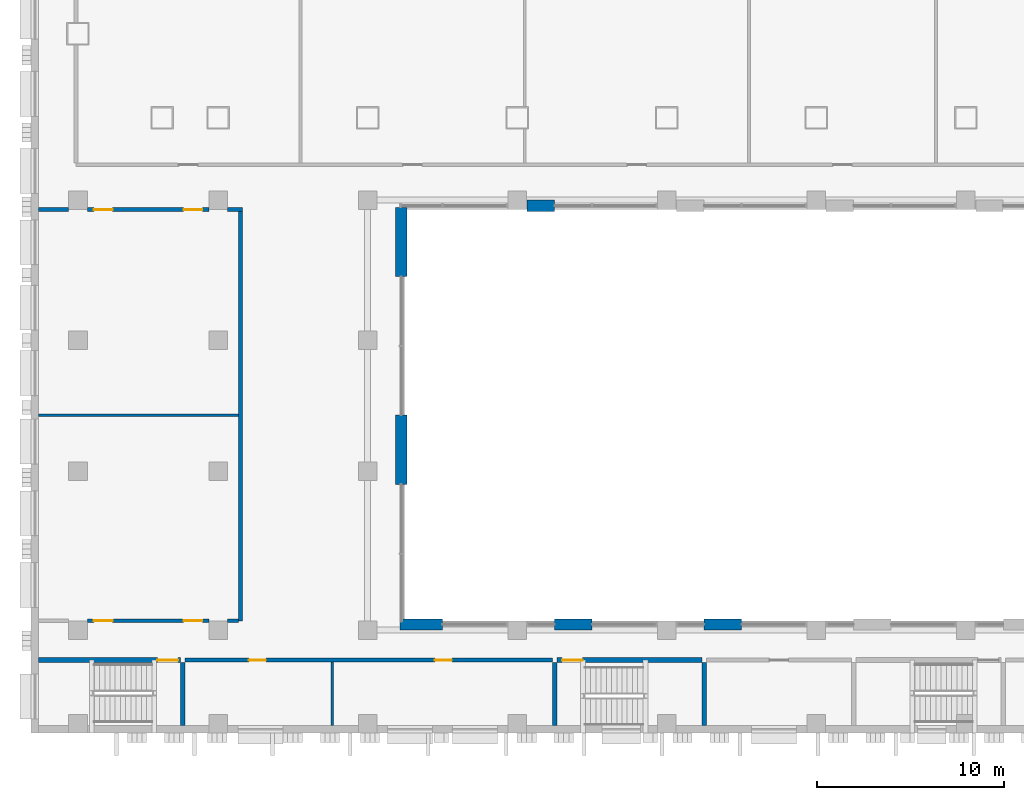
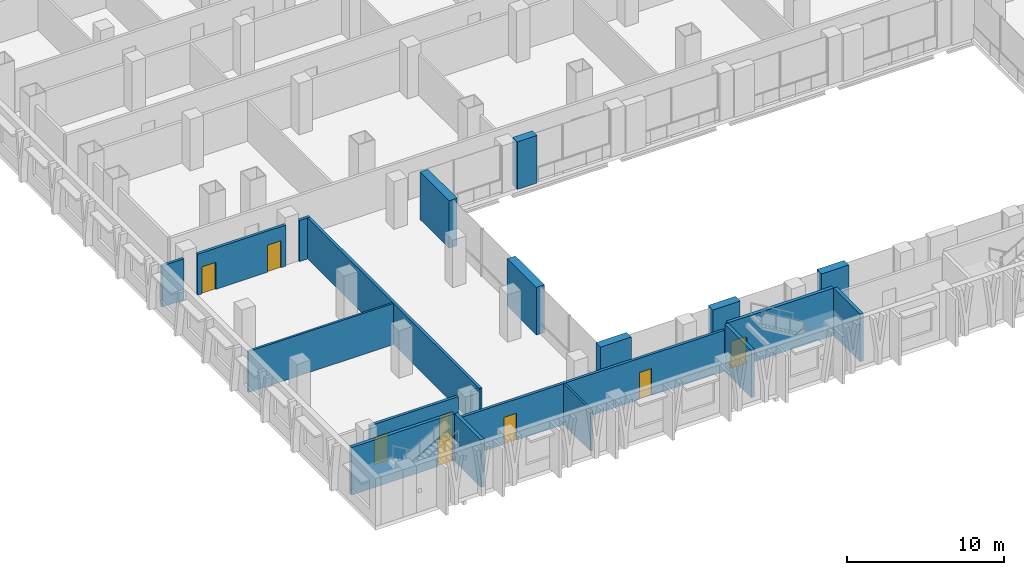
# One storey, part 7 of 24: 20 walls, 8 doors, 8 openings.
"""IFC4 building model written with IfcOpenShell, lengths in metres."""

from ifc_helpers import new_model, si_unit, direction, frame, frame_2d, origin, place, context, subcontext, project, spatial, rectangle, extrude, material, layer, layer_set, type_object, element, fill, save


model = new_model("IFC4")

# Units and contexts
model_context = context("Model", 3, precision=1e-05, world=origin(), true_north=direction((0.0, 1.0)))
body_context = subcontext(model_context, "Body", "Model", "MODEL_VIEW")
ifc_project = project(units=[si_unit("LENGTHUNIT", "METRE"), si_unit("AREAUNIT", "SQUARE_METRE"), si_unit("VOLUMEUNIT", "CUBIC_METRE"), si_unit("PLANEANGLEUNIT", "RADIAN"), si_unit("MASSUNIT", "GRAM", prefix="KILO")], contexts=[model_context])

# Site, building, storey
site_placement = place(None, origin())
site = spatial("IfcSite", under=ifc_project, at=site_placement, CompositionType="ELEMENT")
building_placement = place(site_placement, origin())
building = spatial("IfcBuilding", under=site, at=building_placement, Name="Vidyagriha Tower", CompositionType="ELEMENT")
storey_placement = place(building_placement, frame((0.0, 0.0, 22.0)))
storey = spatial("IfcBuildingStorey", under=building, at=storey_placement, Name="L05", CompositionType="ELEMENT", Elevation=22.0)

# Walls
ifc_material_1 = material(Name="Precast concrete C40/50 with brick facing", Category="concrete")
ifc_layer_1 = layer(ifc_material_1, 0.60009765625)
ifc_layer_set_1 = layer_set([ifc_layer_1], Name="Precast concrete C40/50 with brick facing")
wall_type_1 = type_object("IfcWallType", Name="Brick-faced precast wall 600", PredefinedType="STANDARD", material=ifc_layer_set_1)
for number, where, z_axis, x_axis, name in (
    (1, (-2.0, -44.199951171875, 0.0), (0.0, 0.0, 1.0), (-1.0, 0.0, 0.0), "Brick door bay wall L05 R07.12"),
    (2, (-10.0, -44.199951171875, 0.0), (0.0, 0.0, 1.0), (-1.0, 0.0, 0.0), "Brick door bay wall L05 R07.16"),
):
    element("IfcWall", number, at=place(storey_placement, frame(where, z_axis=z_axis, x_axis=x_axis)), inside=storey, type_object=wall_type_1, Name=name, PredefinedType="STANDARD", context=body_context, shape_type="SweptSolid", body=[
        extrude(rectangle(XDim=2.0, YDim=0.60009765625, at=frame_2d((1.0, 0.0))), origin(), (0.0, 0.0, 1.0), 3.699951171875),
    ])
wall_1_placement = place(storey_placement, frame((-18.0, -44.199951171875, 0.0), z_axis=(0.0, 0.0, 1.0), x_axis=(-1.0, 0.0, 0.0)))
element("IfcWall", 3, at=wall_1_placement, inside=storey, type_object=wall_type_1, Name="Brick door bay wall L05 R07.20", PredefinedType="STANDARD", context=body_context, shape_type="SweptSolid", body=[
    extrude(rectangle(XDim=2.280029296875, YDim=0.60009765625, at=frame_2d((1.14013671875, 0.0))), origin(), (0.0, 0.0, 1.0), 3.699951171875),
])
for number, where, z_axis, x_axis, name in (
    (4, (-20.199951171875, -36.706787109375, 0.0), (0.0, 0.0, 1.0), (0.0, 1.0, 0.0), "Brick door bay wall L05 R08.3"),
    (5, (-20.199951171875, -25.586669921875, 0.0), (0.0, 0.0, 1.0), (0.0, 1.0, 0.0), "Brick door bay wall L05 R08.6"),
):
    element("IfcWall", number, at=place(storey_placement, frame(where, z_axis=z_axis, x_axis=x_axis)), inside=storey, type_object=wall_type_1, Name=name, PredefinedType="STANDARD", context=body_context, shape_type="SweptSolid", body=[
        extrude(rectangle(XDim=3.706787109375, YDim=0.60009765625, at=frame_2d((1.853515625, 0.0))), origin(), (0.0, 0.0, 1.0), 3.699951171875),
    ])
wall_2_placement = place(storey_placement, frame((-13.469970703125, -21.800048828125, 0.0)))
element("IfcWall", 6, at=wall_2_placement, inside=storey, type_object=wall_type_1, Name="Brick door bay wall L05 R09.4", PredefinedType="STANDARD", context=body_context, shape_type="SweptSolid", body=[
    extrude(rectangle(XDim=1.469970703125, YDim=0.60009765625, at=frame_2d((0.73486328125, 0.0))), origin(), (0.0, 0.0, 1.0), 3.699951171875),
])

# Wall, opening, door
ifc_material_2 = material(Name="Concrete C32/40", Category="concrete")
ifc_layer_2 = layer(ifc_material_2, 0.25)
ifc_layer_set_2 = layer_set([ifc_layer_2], Name="Concrete C32/40")
wall_type_2 = type_object("IfcWallType", Name="Concrete Stair Enclosure Wall 250", PredefinedType="SOLIDWALL", material=ifc_layer_set_2)
wall_3_placement = place(storey_placement, frame((-39.60009765625, -46.10009765625, 0.0)))
wall_3 = element("IfcWall", 7, at=wall_3_placement, inside=storey, type_object=wall_type_2, Name="L05 Concrete Stair Enclosure Wall 250 003", PredefinedType="SOLIDWALL", context=body_context, shape_type="SweptSolid", body=[
    extrude(rectangle(XDim=7.5751953125, YDim=0.25, at=frame_2d((3.78759765625, 0.0))), origin(), (0.0, 0.0, 1.0), 3.699951171875),
])
opening_1_placement = place(wall_3_placement, frame((6.35498046875, 0.0, 0.0)))
opening_1 = element("IfcOpeningElement", 8, at=opening_1_placement, cuts=wall_3, Name="Opening D05-57", PredefinedType="OPENING", context=body_context, shape_type="SweptSolid", body=[
    extrude(rectangle(XDim=1.10009765625, YDim=2.10009765625, at=frame_2d((0.550048828125, 1.050048828125))), frame((0.0, 0.135009765625, 0.0), z_axis=(0.0, -1.0, 0.0), x_axis=(1.0, 0.0, 0.0)), (0.0, 0.0, 1.0), 0.27001953125),
])
ifc_material_3 = material(Name="Steel fire door set", Category="steel")
door_type_1 = type_object("IfcDoorType", Name="Podium Door 1100x2100 EI 90", OperationType="NOTDEFINED", PredefinedType="DOOR", material=ifc_material_3)
door_1_placement = place(opening_1_placement, origin())
door_1 = element("IfcDoor", 9, at=door_1_placement, inside=storey, type_object=door_type_1, Name="L05 door D05-57", OperationType="SINGLE_SWING_RIGHT", OverallHeight=2.10009765625, OverallWidth=1.10009765625, PredefinedType="DOOR", context=body_context, shape_type="SweptSolid", body=[
    extrude(rectangle(XDim=1.10009765625, YDim=2.10009765625, at=frame_2d((0.550048828125, 1.050048828125))), frame((0.0, 0.02490234375, 0.0), z_axis=(0.0, -1.0, 0.0), x_axis=(1.0, 0.0, 0.0)), (0.0, 0.0, 1.0), 0.050048828125),
])
fill(opening_1, door_1)

wall_4_placement = place(storey_placement, frame((-11.875, -46.10009765625, 0.0)))
wall_4 = element("IfcWall", 10, at=wall_4_placement, inside=storey, type_object=wall_type_2, Name="L05 Concrete Stair Enclosure Wall 250 004", PredefinedType="SOLIDWALL", context=body_context, shape_type="SweptSolid", body=[
    extrude(rectangle(XDim=7.75, YDim=0.25, at=frame_2d((3.875, 0.0))), origin(), (0.0, 0.0, 1.0), 3.699951171875),
])
opening_2_placement = place(wall_4_placement, frame((0.27001953125, 0.0, 0.0)))
opening_2 = element("IfcOpeningElement", 11, at=opening_2_placement, cuts=wall_4, Name="Opening D05-59", PredefinedType="OPENING", context=body_context, shape_type="SweptSolid", body=[
    extrude(rectangle(XDim=1.10009765625, YDim=2.10009765625, at=frame_2d((0.550048828125, 1.050048828125))), frame((0.0, 0.135009765625, 0.0), z_axis=(0.0, -1.0, 0.0), x_axis=(1.0, 0.0, 0.0)), (0.0, 0.0, 1.0), 0.27001953125),
])
door_2_placement = place(opening_2_placement, origin())
door_2 = element("IfcDoor", 12, at=door_2_placement, inside=storey, type_object=door_type_1, Name="L05 door D05-59", OperationType="SINGLE_SWING_LEFT", OverallHeight=2.10009765625, OverallWidth=1.10009765625, PredefinedType="DOOR", context=body_context, shape_type="SweptSolid", body=[
    extrude(rectangle(XDim=1.10009765625, YDim=2.10009765625, at=frame_2d((0.550048828125, 1.050048828125))), frame((0.0, 0.02490234375, 0.0), z_axis=(0.0, -1.0, 0.0), x_axis=(1.0, 0.0, 0.0)), (0.0, 0.0, 1.0), 0.050048828125),
])
fill(opening_2, door_2)

# Walls
for number, where, z_axis, x_axis, name in (
    (13, (-31.89990234375, -49.60009765625, 0.0), (0.0, 0.0, 1.0), (0.0, 1.0, 0.0), "L05 Concrete Stair Enclosure Wall 250 043"),
    (14, (-12.0, -49.60009765625, 0.0), (0.0, 0.0, 1.0), (0.0, 1.0, 0.0), "L05 Concrete Stair Enclosure Wall 250 057"),
    (15, (-4.0, -49.60009765625, 0.0), (0.0, 0.0, 1.0), (0.0, 1.0, 0.0), "L05 Concrete Stair Enclosure Wall 250 058"),
):
    element("IfcWall", number, at=place(storey_placement, frame(where, z_axis=z_axis, x_axis=x_axis)), inside=storey, type_object=wall_type_2, Name=name, PredefinedType="SOLIDWALL", context=body_context, shape_type="SweptSolid", body=[
        extrude(rectangle(XDim=3.375, YDim=0.25, at=frame_2d((1.6875, 0.0))), origin(), (0.0, 0.0, 1.0), 3.699951171875),
    ])

# Wall, openings, doors
ifc_material_4 = material(Name="Fire rated gypsum board on light gauge framing")
ifc_layer_3 = layer(ifc_material_4, 0.199951171875)
ifc_layer_set_3 = layer_set([ifc_layer_3], Name="Fire rated gypsum board on light gauge framing")
wall_type_3 = type_object("IfcWallType", Name="Fire Rated Corridor Wall 200", PredefinedType="PARTITIONING", material=ifc_layer_set_3)
wall_5_placement = place(storey_placement, frame((-31.77490234375, -46.10009765625, 0.0)))
wall_5 = element("IfcWall", 16, at=wall_5_placement, inside=storey, type_object=wall_type_3, Name="L05 Fire Rated Corridor Wall 200 000", PredefinedType="PARTITIONING", context=body_context, shape_type="SweptSolid", body=[
    extrude(rectangle(XDim=19.64990234375, YDim=0.199951171875, at=frame_2d((9.824951171875, 0.0))), origin(), (0.0, 0.0, 1.0), 3.199951171875),
])
opening_3_placement = place(wall_5_placement, frame((3.425048828125, 0.0, 0.0)))
opening_3 = element("IfcOpeningElement", 17, at=opening_3_placement, cuts=wall_5, Name="Opening D05-23", PredefinedType="OPENING", context=body_context, shape_type="SweptSolid", body=[
    extrude(rectangle(XDim=0.89990234375, YDim=2.10009765625, at=frame_2d((0.449951171875, 1.050048828125))), frame((0.0, 0.10986328125, 0.0), z_axis=(0.0, -1.0, 0.0), x_axis=(1.0, 0.0, 0.0)), (0.0, 0.0, 1.0), 0.219970703125),
])
opening_4_placement = place(wall_5_placement, frame((13.375, 0.0, 0.0)))
opening_4 = element("IfcOpeningElement", 18, at=opening_4_placement, cuts=wall_5, Name="Opening D05-24", PredefinedType="OPENING", context=body_context, shape_type="SweptSolid", body=[
    extrude(rectangle(XDim=0.89990234375, YDim=2.10009765625, at=frame_2d((0.449951171875, 1.050048828125))), frame((0.0, 0.10986328125, 0.0), z_axis=(0.0, -1.0, 0.0), x_axis=(1.0, 0.0, 0.0)), (0.0, 0.0, 1.0), 0.219970703125),
])
ifc_material_5 = material(Name="Steel fire door set", Category="steel")
door_type_2 = type_object("IfcDoorType", Name="Podium Door 900x2100 EI 30", OperationType="NOTDEFINED", PredefinedType="DOOR", material=ifc_material_5)
door_3_placement = place(opening_3_placement, frame((0.89990234375, 0.0, 0.0), z_axis=(0.0, 0.0, 1.0), x_axis=(-1.0, 0.0, 0.0)))
door_3 = element("IfcDoor", 19, at=door_3_placement, inside=storey, type_object=door_type_2, Name="L05 door D05-23", OperationType="SINGLE_SWING_LEFT", OverallHeight=2.10009765625, OverallWidth=0.89990234375, PredefinedType="DOOR", context=body_context, shape_type="SweptSolid", body=[
    extrude(rectangle(XDim=0.89990234375, YDim=2.10009765625, at=frame_2d((0.449951171875, 1.050048828125))), frame((0.0, 0.02490234375, 0.0), z_axis=(0.0, -1.0, 0.0), x_axis=(1.0, 0.0, 0.0)), (0.0, 0.0, 1.0), 0.050048828125),
])
fill(opening_3, door_3)
door_4_placement = place(opening_4_placement, frame((0.89990234375, 0.0, 0.0), z_axis=(0.0, 0.0, 1.0), x_axis=(-1.0, 0.0, 0.0)))
door_4 = element("IfcDoor", 20, at=door_4_placement, inside=storey, type_object=door_type_2, Name="L05 door D05-24", OperationType="SINGLE_SWING_RIGHT", OverallHeight=2.10009765625, OverallWidth=0.89990234375, PredefinedType="DOOR", context=body_context, shape_type="SweptSolid", body=[
    extrude(rectangle(XDim=0.89990234375, YDim=2.10009765625, at=frame_2d((0.449951171875, 1.050048828125))), frame((0.0, 0.02490234375, 0.0), z_axis=(0.0, -1.0, 0.0), x_axis=(1.0, 0.0, 0.0)), (0.0, 0.0, 1.0), 0.050048828125),
])
fill(opening_4, door_4)

wall_6_placement = place(storey_placement, frame((-37.0, -44.0, 0.0)))
wall_6 = element("IfcWall", 21, at=wall_6_placement, inside=storey, type_object=wall_type_3, Name="L05 Fire Rated Corridor Wall 200 008", PredefinedType="PARTITIONING", context=body_context, shape_type="SweptSolid", body=[
    extrude(rectangle(XDim=6.5, YDim=0.199951171875, at=frame_2d((3.25, 0.0))), origin(), (0.0, 0.0, 1.0), 3.199951171875),
])
opening_5_placement = place(wall_6_placement, frame((0.35009765625, 0.0, 0.0)))
opening_5 = element("IfcOpeningElement", 22, at=opening_5_placement, cuts=wall_6, Name="Opening D05-15", PredefinedType="OPENING", context=body_context, shape_type="SweptSolid", body=[
    extrude(rectangle(XDim=1.0, YDim=2.10009765625, at=frame_2d((0.5, 1.050048828125))), frame((0.0, 0.10986328125, 0.0), z_axis=(0.0, -1.0, 0.0), x_axis=(1.0, 0.0, 0.0)), (0.0, 0.0, 1.0), 0.219970703125),
])
opening_6_placement = place(wall_6_placement, frame((5.14990234375, 0.0, 0.0)))
opening_6 = element("IfcOpeningElement", 23, at=opening_6_placement, cuts=wall_6, Name="Opening D05-16", PredefinedType="OPENING", context=body_context, shape_type="SweptSolid", body=[
    extrude(rectangle(XDim=1.0, YDim=2.10009765625, at=frame_2d((0.5, 1.050048828125))), frame((0.0, 0.10986328125, 0.0), z_axis=(0.0, -1.0, 0.0), x_axis=(1.0, 0.0, 0.0)), (0.0, 0.0, 1.0), 0.219970703125),
])
ifc_material_6 = material(Name="Steel fire door set", Category="steel")
door_type_3 = type_object("IfcDoorType", Name="Podium Door 1000x2100 EI 30", OperationType="NOTDEFINED", PredefinedType="DOOR", material=ifc_material_6)
door_5_placement = place(opening_5_placement, origin())
door_5 = element("IfcDoor", 24, at=door_5_placement, inside=storey, type_object=door_type_3, Name="L05 door D05-15", OperationType="SINGLE_SWING_LEFT", OverallHeight=2.10009765625, OverallWidth=1.0, PredefinedType="DOOR", context=body_context, shape_type="SweptSolid", body=[
    extrude(rectangle(XDim=1.0, YDim=2.10009765625, at=frame_2d((0.5, 1.050048828125))), frame((0.0, 0.02490234375, 0.0), z_axis=(0.0, -1.0, 0.0), x_axis=(1.0, 0.0, 0.0)), (0.0, 0.0, 1.0), 0.050048828125),
])
fill(opening_5, door_5)
door_6_placement = place(opening_6_placement, origin())
door_6 = element("IfcDoor", 25, at=door_6_placement, inside=storey, type_object=door_type_3, Name="L05 door D05-16", OperationType="SINGLE_SWING_RIGHT", OverallHeight=2.10009765625, OverallWidth=1.0, PredefinedType="DOOR", context=body_context, shape_type="SweptSolid", body=[
    extrude(rectangle(XDim=1.0, YDim=2.10009765625, at=frame_2d((0.5, 1.050048828125))), frame((0.0, 0.02490234375, 0.0), z_axis=(0.0, -1.0, 0.0), x_axis=(1.0, 0.0, 0.0)), (0.0, 0.0, 1.0), 0.050048828125),
])
fill(opening_6, door_6)

# Walls
wall_7_placement = place(storey_placement, frame((-29.5, -44.0, 0.0)))
element("IfcWall", 26, at=wall_7_placement, inside=storey, type_object=wall_type_3, Name="L05 Fire Rated Corridor Wall 200 009", PredefinedType="PARTITIONING", context=body_context, shape_type="SweptSolid", body=[
    extrude(rectangle(XDim=0.599853515625, YDim=0.199951171875, at=frame_2d((0.2998046875, 0.0))), origin(), (0.0, 0.0, 1.0), 3.199951171875),
])
wall_8_placement = place(storey_placement, frame((-39.60009765625, -22.0, 0.0)))
element("IfcWall", 27, at=wall_8_placement, inside=storey, type_object=wall_type_3, Name="L05 Fire Rated Corridor Wall 200 015", PredefinedType="PARTITIONING", context=body_context, shape_type="SweptSolid", body=[
    extrude(rectangle(XDim=1.60009765625, YDim=0.199951171875, at=frame_2d((0.800048828125, 0.0))), origin(), (0.0, 0.0, 1.0), 3.199951171875),
])

# Wall, openings, doors
wall_9_placement = place(storey_placement, frame((-37.0, -22.0, 0.0)))
wall_9 = element("IfcWall", 28, at=wall_9_placement, inside=storey, type_object=wall_type_3, Name="L05 Fire Rated Corridor Wall 200 016", PredefinedType="PARTITIONING", context=body_context, shape_type="SweptSolid", body=[
    extrude(rectangle(XDim=6.5, YDim=0.199951171875, at=frame_2d((3.25, 0.0))), origin(), (0.0, 0.0, 1.0), 3.199951171875),
])
opening_7_placement = place(wall_9_placement, frame((0.35009765625, 0.0, 0.0)))
opening_7 = element("IfcOpeningElement", 29, at=opening_7_placement, cuts=wall_9, Name="Opening D05-17", PredefinedType="OPENING", context=body_context, shape_type="SweptSolid", body=[
    extrude(rectangle(XDim=1.0, YDim=2.10009765625, at=frame_2d((0.5, 1.050048828125))), frame((0.0, 0.10986328125, 0.0), z_axis=(0.0, -1.0, 0.0), x_axis=(1.0, 0.0, 0.0)), (0.0, 0.0, 1.0), 0.219970703125),
])
opening_8_placement = place(wall_9_placement, frame((5.14990234375, 0.0, 0.0)))
opening_8 = element("IfcOpeningElement", 30, at=opening_8_placement, cuts=wall_9, Name="Opening D05-18", PredefinedType="OPENING", context=body_context, shape_type="SweptSolid", body=[
    extrude(rectangle(XDim=1.0, YDim=2.10009765625, at=frame_2d((0.5, 1.050048828125))), frame((0.0, 0.10986328125, 0.0), z_axis=(0.0, -1.0, 0.0), x_axis=(1.0, 0.0, 0.0)), (0.0, 0.0, 1.0), 0.219970703125),
])
door_7_placement = place(opening_7_placement, frame((1.0, 0.0, 0.0), z_axis=(0.0, 0.0, 1.0), x_axis=(-1.0, 0.0, 0.0)))
door_7 = element("IfcDoor", 31, at=door_7_placement, inside=storey, type_object=door_type_3, Name="L05 door D05-17", OperationType="SINGLE_SWING_LEFT", OverallHeight=2.10009765625, OverallWidth=1.0, PredefinedType="DOOR", context=body_context, shape_type="SweptSolid", body=[
    extrude(rectangle(XDim=1.0, YDim=2.10009765625, at=frame_2d((0.5, 1.050048828125))), frame((0.0, 0.02490234375, 0.0), z_axis=(0.0, -1.0, 0.0), x_axis=(1.0, 0.0, 0.0)), (0.0, 0.0, 1.0), 0.050048828125),
])
fill(opening_7, door_7)
door_8_placement = place(opening_8_placement, frame((1.0, 0.0, 0.0), z_axis=(0.0, 0.0, 1.0), x_axis=(-1.0, 0.0, 0.0)))
door_8 = element("IfcDoor", 32, at=door_8_placement, inside=storey, type_object=door_type_3, Name="L05 door D05-18", OperationType="SINGLE_SWING_RIGHT", OverallHeight=2.10009765625, OverallWidth=1.0, PredefinedType="DOOR", context=body_context, shape_type="SweptSolid", body=[
    extrude(rectangle(XDim=1.0, YDim=2.10009765625, at=frame_2d((0.5, 1.050048828125))), frame((0.0, 0.02490234375, 0.0), z_axis=(0.0, -1.0, 0.0), x_axis=(1.0, 0.0, 0.0)), (0.0, 0.0, 1.0), 0.050048828125),
])
fill(opening_8, door_8)

# Walls
wall_10_placement = place(storey_placement, frame((-29.5, -22.0, 0.0)))
element("IfcWall", 33, at=wall_10_placement, inside=storey, type_object=wall_type_3, Name="L05 Fire Rated Corridor Wall 200 017", PredefinedType="PARTITIONING", context=body_context, shape_type="SweptSolid", body=[
    extrude(rectangle(XDim=0.7998046875, YDim=0.199951171875, at=frame_2d((0.39990234375, 0.0))), origin(), (0.0, 0.0, 1.0), 3.199951171875),
])
wall_11_placement = place(storey_placement, frame((-28.800048828125, -44.0, 0.0), z_axis=(0.0, 0.0, 1.0), x_axis=(0.0, 1.0, 0.0)))
element("IfcWall", 34, at=wall_11_placement, inside=storey, type_object=wall_type_3, Name="L05 Fire Rated Corridor Wall 200 045", PredefinedType="PARTITIONING", context=body_context, shape_type="SweptSolid", body=[
    extrude(rectangle(XDim=21.89990234375, YDim=0.199951171875, at=frame_2d((10.949951171875, 0.0))), origin(), (0.0, 0.0, 1.0), 3.199951171875),
])
ifc_material_7 = material(Name="Gypsum board on light gauge framing")
ifc_layer_4 = layer(ifc_material_7, 0.14990234375)
ifc_layer_set_4 = layer_set([ifc_layer_4], Name="Gypsum board on light gauge framing")
wall_type_4 = type_object("IfcWallType", Name="Gypsum Board Partition 150", PredefinedType="PARTITIONING", material=ifc_layer_set_4)
wall_12_placement = place(storey_placement, frame((-39.60009765625, -33.0, 0.0)))
element("IfcWall", 35, at=wall_12_placement, inside=storey, type_object=wall_type_4, Name="L05 Gypsum Board Partition 150 013", PredefinedType="PARTITIONING", context=body_context, shape_type="SweptSolid", body=[
    extrude(rectangle(XDim=10.7001953125, YDim=0.14990234375, at=frame_2d((5.35009765625, 0.0))), origin(), (0.0, 0.0, 1.0), 3.199951171875),
])
wall_13_placement = place(storey_placement, frame((-23.89990234375, -49.60009765625, 0.0), z_axis=(0.0, 0.0, 1.0), x_axis=(0.0, 1.0, 0.0)))
element("IfcWall", 36, at=wall_13_placement, inside=storey, type_object=wall_type_4, Name="L05 Gypsum Board Partition 150 050", PredefinedType="PARTITIONING", context=body_context, shape_type="SweptSolid", body=[
    extrude(rectangle(XDim=3.400146484375, YDim=0.14990234375, at=frame_2d((1.7001953125, 0.0))), origin(), (0.0, 0.0, 1.0), 3.199951171875),
])

save(model, "model.ifc")
